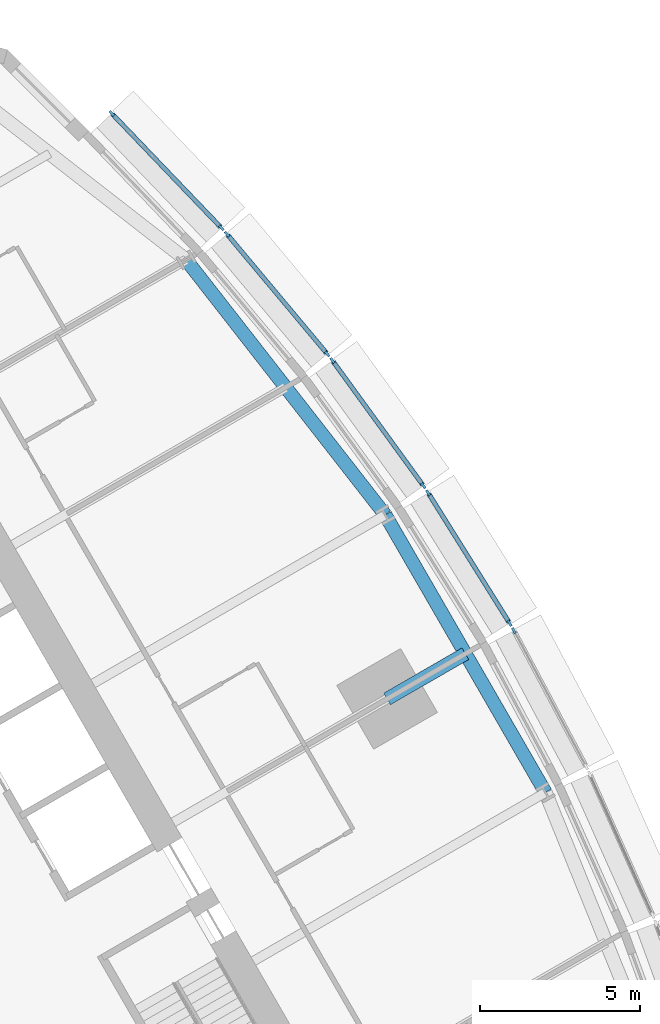
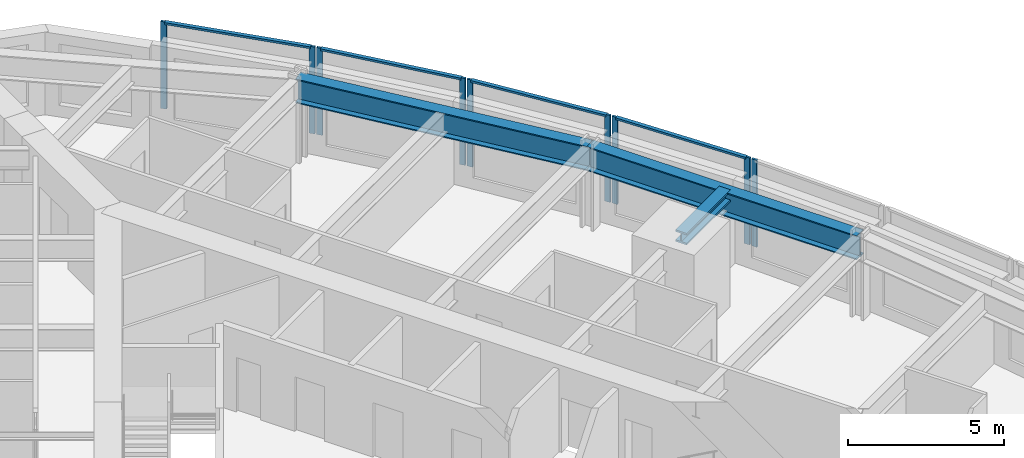
# One storey, part 5 of 14: 13 members, 3 beams, 5 elements without a shape of their own.
"""IFC4 building model written with IfcOpenShell, lengths in metres."""

from ifc_helpers import new_model, si_unit, direction, frame, origin, origin_2d, place, context, subcontext, project, spatial, rectangle, i_section, extrude, material, material_profile, profile_set, type_object, element, aggregate, save


model = new_model("IFC4")

# Units and contexts
model_context = context("Model", 3, precision=1e-05, world=origin(), true_north=direction((0.0, 1.0)))
body_context = subcontext(model_context, "Body", "Model", "MODEL_VIEW")
ifc_project = project(units=[si_unit("LENGTHUNIT", "METRE"), si_unit("AREAUNIT", "SQUARE_METRE"), si_unit("VOLUMEUNIT", "CUBIC_METRE"), si_unit("PLANEANGLEUNIT", "RADIAN"), si_unit("MASSUNIT", "GRAM", prefix="KILO")], contexts=[model_context])

# Site, building, storey
site_placement = place(None, origin())
site = spatial("IfcSite", under=ifc_project, at=site_placement, CompositionType="ELEMENT")
building_placement = place(site_placement, origin())
building = spatial("IfcBuilding", under=site, at=building_placement, Name="Trikona Tower", CompositionType="ELEMENT")
storey_placement = place(building_placement, frame((0.0, 0.0, 155.5)))
storey = spatial("IfcBuildingStorey", under=building, at=storey_placement, Name="L41", CompositionType="ELEMENT", Elevation=155.5)

# Curtain wall, member
ifc_material_1 = material(Name="Aluminium curtain wall system", Category="aluminium")
curtain_wall_type = type_object("IfcCurtainWallType", Name="Curtain wall DS2", PredefinedType="NOTDEFINED", material=ifc_material_1)
curtain_wall_1_placement = place(storey_placement, origin())
curtain_wall_1 = element("IfcCurtainWall", 1, at=curtain_wall_1_placement, inside=storey, type_object=curtain_wall_type, Name="Curtain wall DS2 L41", PredefinedType="NOTDEFINED")
ifc_material_2 = material(Name="Aluminium mullion, pale anodised", Category="aluminium")
ifc_material_profile_1 = material_profile(ifc_material_2, rectangle(XDim=0.080078125, YDim=0.199951171875, at=origin_2d()), Name="MUL-DS2")
ifc_profile_set_1 = profile_set([ifc_material_profile_1], Name="Aluminium mullion, pale anodised")
member_type_1 = type_object("IfcMemberType", Name="Mullion DS2 80x200", PredefinedType="MULLION", material=ifc_profile_set_1)
member_1_placement = place(storey_placement, frame((19.2666015625, 10.9716796875, 0.0), z_axis=(0.0, 0.0, 1.0), x_axis=(-0.882996107343, -0.469380308937, 0.0)))
member_1 = element("IfcMember", 2, at=member_1_placement, type_object=member_type_1, Name="CW-DS2 mullion 2", PredefinedType="MULLION", context=body_context, shape_type="SweptSolid", body=[
    extrude(rectangle(XDim=0.080078125, YDim=0.199951171875, at=origin_2d()), origin(), (0.0, 0.0, 1.0), 3.39990234375),
])
aggregate(curtain_wall_1, [member_1])

# Curtain wall, members
curtain_wall_2_placement = place(storey_placement, origin())
curtain_wall_2 = element("IfcCurtainWall", 3, at=curtain_wall_2_placement, inside=storey, type_object=curtain_wall_type, Name="Curtain wall DS2 L41", PredefinedType="NOTDEFINED")
member_2_placement = place(storey_placement, frame((19.135009765625, 11.199462890625, 0.0), z_axis=(0.0, 0.0, 1.0), x_axis=(-0.847998304006, -0.529998940002, 0.0)))
member_2 = element("IfcMember", 4, at=member_2_placement, type_object=member_type_1, Name="CW-DS2 mullion 1", PredefinedType="MULLION", context=body_context, shape_type="SweptSolid", body=[
    extrude(rectangle(XDim=0.080078125, YDim=0.199951171875, at=origin_2d()), origin(), (0.0, 0.0, 1.0), 3.39990234375),
])
member_3_placement = place(storey_placement, frame((16.589599609375, 15.2724609375, 0.0), z_axis=(0.0, 0.0, 1.0), x_axis=(-0.847998304006, -0.529998940002, 0.0)))
member_3 = element("IfcMember", 5, at=member_3_placement, type_object=member_type_1, Name="CW-DS2 mullion 2", PredefinedType="MULLION", context=body_context, shape_type="SweptSolid", body=[
    extrude(rectangle(XDim=0.080078125, YDim=0.199951171875, at=origin_2d()), origin(), (0.0, 0.0, 1.0), 3.39990234375),
])

curtain_wall_3_placement = place(storey_placement, origin())
curtain_wall_3 = element("IfcCurtainWall", 6, at=curtain_wall_3_placement, inside=storey, type_object=curtain_wall_type, Name="Curtain wall DS2 L41", PredefinedType="NOTDEFINED")
member_4_placement = place(storey_placement, frame((16.442626953125, 15.489990234375, 0.0), z_axis=(0.0, 0.0, 1.0), x_axis=(-0.80908576332, -0.587690588313, 0.0)))
member_4 = element("IfcMember", 7, at=member_4_placement, type_object=member_type_1, Name="CW-DS2 mullion 1", PredefinedType="MULLION", context=body_context, shape_type="SweptSolid", body=[
    extrude(rectangle(XDim=0.080078125, YDim=0.199951171875, at=origin_2d()), origin(), (0.0, 0.0, 1.0), 3.39990234375),
])
member_5_placement = place(storey_placement, frame((13.605712890625, 19.39599609375, 0.0), z_axis=(0.0, 0.0, 1.0), x_axis=(-0.80908576332, -0.587690588313, 0.0)))
member_5 = element("IfcMember", 8, at=member_5_placement, type_object=member_type_1, Name="CW-DS2 mullion 2", PredefinedType="MULLION", context=body_context, shape_type="SweptSolid", body=[
    extrude(rectangle(XDim=0.080078125, YDim=0.199951171875, at=origin_2d()), origin(), (0.0, 0.0, 1.0), 3.39990234375),
])

curtain_wall_4_placement = place(storey_placement, origin())
curtain_wall_4 = element("IfcCurtainWall", 9, at=curtain_wall_4_placement, inside=storey, type_object=curtain_wall_type, Name="Curtain wall DS2 L41", PredefinedType="NOTDEFINED")
member_6_placement = place(storey_placement, frame((13.44482421875, 19.602294921875, 0.0), z_axis=(0.0, 0.0, 1.0), x_axis=(-0.766866678271, -0.641806433248, 0.0)))
member_6 = element("IfcMember", 10, at=member_6_placement, type_object=member_type_1, Name="CW-DS2 mullion 1", PredefinedType="MULLION", context=body_context, shape_type="SweptSolid", body=[
    extrude(rectangle(XDim=0.080078125, YDim=0.199951171875, at=origin_2d()), origin(), (0.0, 0.0, 1.0), 3.39990234375),
])
member_7_placement = place(storey_placement, frame((10.315185546875, 23.34130859375, 0.0), z_axis=(0.0, 0.0, 1.0), x_axis=(-0.766866678271, -0.641806433248, 0.0)))
member_7 = element("IfcMember", 11, at=member_7_placement, type_object=member_type_1, Name="CW-DS2 mullion 2", PredefinedType="MULLION", context=body_context, shape_type="SweptSolid", body=[
    extrude(rectangle(XDim=0.080078125, YDim=0.199951171875, at=origin_2d()), origin(), (0.0, 0.0, 1.0), 3.39990234375),
])

curtain_wall_5_placement = place(storey_placement, origin())
curtain_wall_5 = element("IfcCurtainWall", 12, at=curtain_wall_5_placement, inside=storey, type_object=curtain_wall_type, Name="Curtain wall DS2 L41", PredefinedType="NOTDEFINED")
member_8_placement = place(storey_placement, frame((10.1416015625, 23.535400390625, 0.0), z_axis=(0.0, 0.0, 1.0), x_axis=(-0.722158330767, -0.691727797117, 0.0)))
member_8 = element("IfcMember", 13, at=member_8_placement, type_object=member_type_1, Name="CW-DS2 mullion 1", PredefinedType="MULLION", context=body_context, shape_type="SweptSolid", body=[
    extrude(rectangle(XDim=0.080078125, YDim=0.199951171875, at=origin_2d()), origin(), (0.0, 0.0, 1.0), 3.39990234375),
])
member_9_placement = place(storey_placement, frame((6.718994140625, 27.1083984375, 0.0), z_axis=(0.0, 0.0, 1.0), x_axis=(-0.722158330767, -0.691727797117, 0.0)))
member_9 = element("IfcMember", 14, at=member_9_placement, type_object=member_type_1, Name="CW-DS2 mullion 2", PredefinedType="MULLION", context=body_context, shape_type="SweptSolid", body=[
    extrude(rectangle(XDim=0.080078125, YDim=0.199951171875, at=origin_2d()), origin(), (0.0, 0.0, 1.0), 3.39990234375),
])

# Beams
ifc_material_3 = material(Name="Steel ASTM A992 Grade 50", Category="steel")
ifc_material_profile_2 = material_profile(ifc_material_3, i_section(OverallWidth=0.419189453125, OverallDepth=0.45458984375, WebThickness=0.042236328125, FlangeThickness=0.067626953125, at=origin_2d()), Name="W14X370")
ifc_profile_set_2 = profile_set([ifc_material_profile_2], Name="Steel ASTM A992 Grade 50")
beam_type_1 = type_object("IfcBeamType", Name="Steel beam W14x370 (apex bracket)", PredefinedType="BEAM", material=ifc_profile_set_2)
beam_1_placement = place(storey_placement, frame((15.311767578125, 8.84033203125, 3.0078125), z_axis=(0.86605005072, 0.499957307824, 0.0), x_axis=(-0.499957307824, 0.86605005072, 0.0)))
element("IfcBeam", 15, at=beam_1_placement, inside=storey, type_object=beam_type_1, Name="Cantilever bracket L42 F2", PredefinedType="BEAM", context=body_context, shape_type="SweptSolid", body=[
    extrude(i_section(OverallWidth=0.419189453125, OverallDepth=0.45458984375, WebThickness=0.042236328125, FlangeThickness=0.067626953125, at=origin_2d()), origin(), (0.0, 0.0, 1.0), 2.819580078125),
])
ifc_material_4 = material(Name="Steel ASTM A992 Grade 50", Category="steel")
ifc_material_profile_3 = material_profile(ifc_material_4, i_section(OverallWidth=0.424072265625, OverallDepth=0.947509765625, WebThickness=0.02392578125, FlangeThickness=0.042724609375, at=origin_2d()), Name="W36X302")
ifc_profile_set_3 = profile_set([ifc_material_profile_3], Name="Steel ASTM A992 Grade 50")
beam_type_2 = type_object("IfcBeamType", Name="Steel beam W36x302 (spandrel)", PredefinedType="SPANDREL", material=ifc_profile_set_3)
beam_2_placement = place(storey_placement, frame((20.253662109375, 5.919921875, 2.76123046875), z_axis=(-0.500004234368, 0.866022959057, 0.0), x_axis=(-0.866022959057, -0.500004234368, 0.0)))
element("IfcBeam", 16, at=beam_2_placement, inside=storey, type_object=beam_type_2, Name="Spandrel beam L42 F2-3", PredefinedType="SPANDREL", context=body_context, shape_type="SweptSolid", body=[
    extrude(i_section(OverallWidth=0.424072265625, OverallDepth=0.947509765625, WebThickness=0.02392578125, FlangeThickness=0.042724609375, at=origin_2d()), origin(), (0.0, 0.0, 1.0), 10.0),
])
beam_3_placement = place(storey_placement, frame((15.253662109375, 14.580078125, 2.76123046875), z_axis=(-0.615232009054, 0.788346101046, 0.0), x_axis=(-0.788346101046, -0.615232009054, 0.0)))
element("IfcBeam", 17, at=beam_3_placement, inside=storey, type_object=beam_type_2, Name="Spandrel beam L42 F2-4", PredefinedType="SPANDREL", context=body_context, shape_type="SweptSolid", body=[
    extrude(i_section(OverallWidth=0.424072265625, OverallDepth=0.947509765625, WebThickness=0.02392578125, FlangeThickness=0.042724609375, at=origin_2d()), origin(), (0.0, 0.0, 1.0), 10.09765625),
])

# Member
ifc_material_5 = material(Name="Aluminium transom, pale anodised", Category="aluminium")
ifc_material_profile_4 = material_profile(ifc_material_5, rectangle(XDim=0.139892578125, YDim=0.080078125, at=origin_2d()), Name="TRN-DS2")
ifc_profile_set_4 = profile_set([ifc_material_profile_4], Name="Aluminium transom, pale anodised")
member_type_2 = type_object("IfcMemberType", Name="Transom DS2 80x140", PredefinedType="USERDEFINED", material=ifc_profile_set_4)
member_10_placement = place(storey_placement, frame((19.114013671875, 11.2333984375, 3.360107421875), z_axis=(-0.530031463794, 0.847977975769, 0.0), x_axis=(-0.847977975769, -0.530031463794, 0.0)))
member_10 = element("IfcMember", 18, at=member_10_placement, type_object=member_type_2, Name="CW-DS2 transom 1.1", ObjectType="TRANSOM", PredefinedType="USERDEFINED", context=body_context, shape_type="SweptSolid", body=[
    extrude(rectangle(XDim=0.139892578125, YDim=0.080078125, at=origin_2d()), origin(), (0.0, 0.0, 1.0), 4.72314453125),
])

aggregate(curtain_wall_2, [member_2, member_3, member_10])

member_11_placement = place(storey_placement, frame((16.419189453125, 15.5224609375, 3.360107421875), z_axis=(-0.587694585883, 0.809082859616, 0.0), x_axis=(-0.809082859616, -0.587694585883, 0.0)))
member_11 = element("IfcMember", 19, at=member_11_placement, type_object=member_type_2, Name="CW-DS2 transom 1.1", ObjectType="TRANSOM", PredefinedType="USERDEFINED", context=body_context, shape_type="SweptSolid", body=[
    extrude(rectangle(XDim=0.139892578125, YDim=0.080078125, at=origin_2d()), origin(), (0.0, 0.0, 1.0), 4.747314453125),
])

aggregate(curtain_wall_3, [member_4, member_5, member_11])

member_12_placement = place(storey_placement, frame((13.4189453125, 19.6328125, 3.360107421875), z_axis=(-0.641770294892, 0.766896921753, 0.0), x_axis=(-0.766896921753, -0.641770294892, 0.0)))
member_12 = element("IfcMember", 20, at=member_12_placement, type_object=member_type_2, Name="CW-DS2 transom 1.1", ObjectType="TRANSOM", PredefinedType="USERDEFINED", context=body_context, shape_type="SweptSolid", body=[
    extrude(rectangle(XDim=0.139892578125, YDim=0.080078125, at=origin_2d()), origin(), (0.0, 0.0, 1.0), 4.7958984375),
])

aggregate(curtain_wall_4, [member_6, member_7, member_12])

member_13_placement = place(storey_placement, frame((10.114013671875, 23.564208984375, 3.360107421875), z_axis=(-0.691721246785, 0.722164605022, 0.0), x_axis=(-0.722164605022, -0.691721246785, 0.0)))
member_13 = element("IfcMember", 21, at=member_13_placement, type_object=member_type_2, Name="CW-DS2 transom 1.1", ObjectType="TRANSOM", PredefinedType="USERDEFINED", context=body_context, shape_type="SweptSolid", body=[
    extrude(rectangle(XDim=0.139892578125, YDim=0.080078125, at=origin_2d()), origin(), (0.0, 0.0, 1.0), 4.867919921875),
])

aggregate(curtain_wall_5, [member_8, member_9, member_13])

save(model, "model.ifc")
